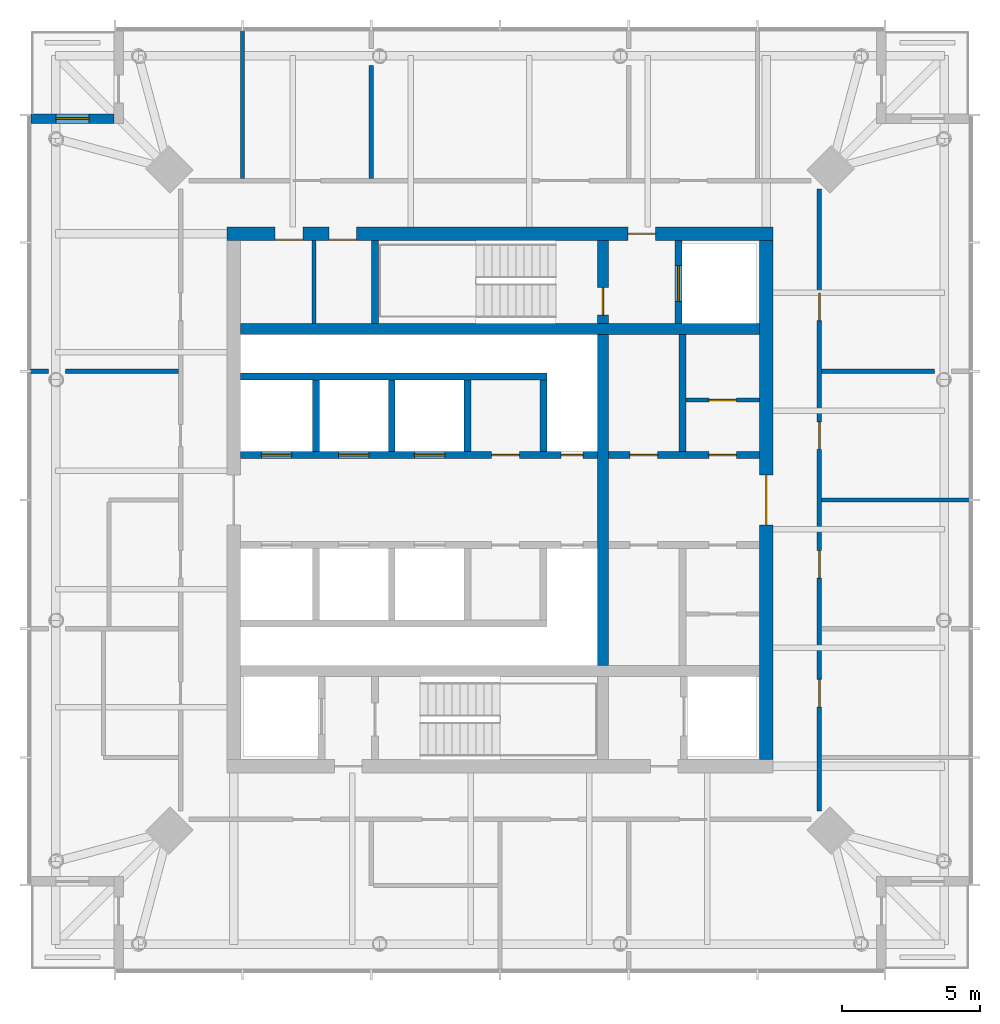
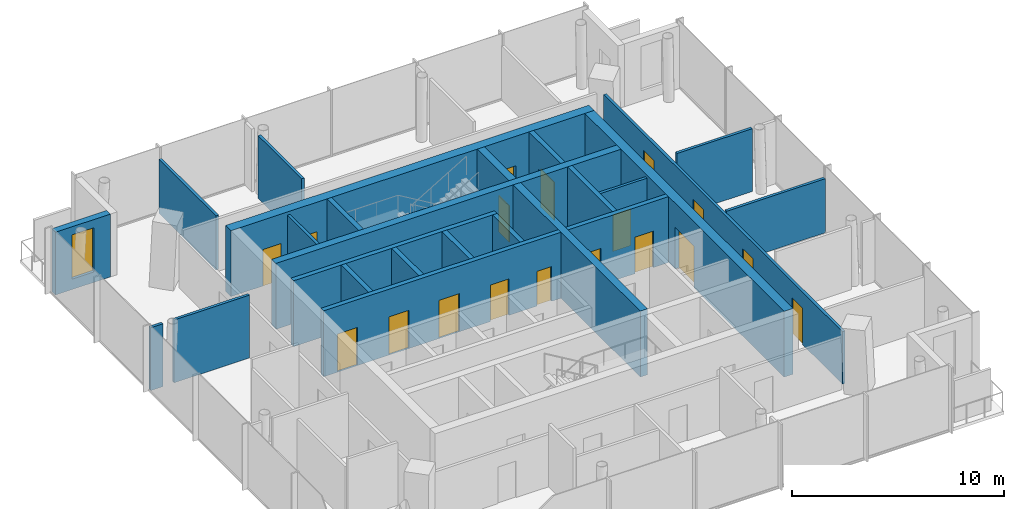
# One storey, part 5 of 7: 25 walls, 18 doors, 1 window, 19 openings.
"""IFC4 building model written with IfcOpenShell, lengths in metres."""

import ifcopenshell
import ifcopenshell.guid

model = None  # the IFC model being written
_history = None  # IfcOwnerHistory: only IFC2X3 demands one
_inside = {}  # id of a spatial element -> (the spatial element, [elements in it])
_under = {}  # id of a project, library or spatial element -> (it, [spatial elements below it])
_declared = {}  # id of a project -> (the project, [libraries it declares])
_typed = {}  # id of a type object -> (the type object, [elements of that type])
_made_of = {}  # id of a material, layer set ... -> (it, [elements and type objects made of it])


def new_model(schema):
    """Start an empty IFC model of exactly this schema.

    Asked for "IFC4X3", IfcOpenShell would pick the latest addendum, in which some entities
    have other attributes; the version numbers below select the first issue.
    IFC2X3 requires an IfcOwnerHistory on every rooted entity: one is made here for all.
    """
    global model, _history
    if schema == "IFC4X3":
        model = ifcopenshell.file(schema_version=(4, 3, 0, 0))
    else:
        model = ifcopenshell.file(schema=schema)
    _inside.clear()
    _under.clear()
    _declared.clear()
    _typed.clear()
    _made_of.clear()
    _history = None
    if model.schema == "IFC2X3":
        org = make("IfcOrganization", Name="unknown")
        user = make(
            "IfcPersonAndOrganization",
            ThePerson=make("IfcPerson", FamilyName="unknown"),
            TheOrganization=org,
        )
        app = make(
            "IfcApplication",
            ApplicationDeveloper=org,
            Version="unknown",
            ApplicationFullName="unknown",
            ApplicationIdentifier="unknown",
        )
        _history = make(
            "IfcOwnerHistory",
            OwningUser=user,
            OwningApplication=app,
            ChangeAction="ADDED",
            CreationDate=0,
        )
    return model


def make(cls, **values):
    """One entity of the class cls with the attributes given. An attribute that is None is left unset."""
    return model.create_entity(
        cls, **{name: value for name, value in values.items() if value is not None}
    )


def rooted(cls, **values):
    """An entity with a GlobalId (a new one), such as an element, a storey or a relation."""
    return make(cls, GlobalId=ifcopenshell.guid.new(), OwnerHistory=_history, **values)


def si_unit(unit_type, name, prefix=None):
    """IfcSIUnit, for example si_unit("LENGTHUNIT", "METRE", prefix="MILLI")."""
    return make("IfcSIUnit", UnitType=unit_type, Prefix=prefix, Name=name)


def assignment(units):
    """IfcUnitAssignment: the units of a project."""
    return None if units is None else make("IfcUnitAssignment", Units=units)


def point(xyz):
    """IfcCartesianPoint."""
    return None if xyz is None else make("IfcCartesianPoint", Coordinates=xyz)


def direction(xyz):
    """IfcDirection."""
    return None if xyz is None else make("IfcDirection", DirectionRatios=xyz)


def frame(location, z_axis=None, x_axis=None):
    """IfcAxis2Placement3D, a coordinate frame: its origin and axes. An axis left out is left unset."""
    return make(
        "IfcAxis2Placement3D",
        Location=point(location),
        Axis=direction(z_axis),
        RefDirection=direction(x_axis),
    )


def frame_2d(location, x_axis=None):
    """IfcAxis2Placement2D, a coordinate frame in the plane: its origin and x axis."""
    return make(
        "IfcAxis2Placement2D", Location=point(location), RefDirection=direction(x_axis)
    )


def origin():
    """The frame at (0, 0, 0) with its axes left unset."""
    return frame((0.0, 0.0, 0.0))


def place(relative_to, where):
    """IfcLocalPlacement: puts the frame where relative to a parent placement (None: the world)."""
    return make(
        "IfcLocalPlacement", PlacementRelTo=relative_to, RelativePlacement=where
    )


def context(
    kind, dimensions, precision=None, world=None, true_north=None, identifier=None
):
    """IfcGeometricRepresentationContext, for example the 3D "Model" context."""
    return make(
        "IfcGeometricRepresentationContext",
        ContextIdentifier=identifier,
        ContextType=kind,
        CoordinateSpaceDimension=dimensions,
        Precision=precision,
        WorldCoordinateSystem=world,
        TrueNorth=true_north,
    )


def subcontext(parent, identifier, kind, view, scale=None):
    """IfcGeometricRepresentationSubContext, for example "Body" below "Model"."""
    return make(
        "IfcGeometricRepresentationSubContext",
        ContextIdentifier=identifier,
        ContextType=kind,
        ParentContext=parent,
        TargetScale=scale,
        TargetView=view,
    )


def project(units=None, contexts=None):
    """IfcProject with its units and contexts."""
    return rooted(
        "IfcProject",
        Name="project",
        RepresentationContexts=contexts,
        UnitsInContext=assignment(units),
    )


def spatial(cls, under=None, at=None, **own):
    """A site, building, storey or space (cls), placed at a placement, below another one or the project."""
    s = rooted(cls, ObjectPlacement=at, **own)
    if under is not None:
        _under.setdefault(under.id(), (under, []))[1].append(s)
    return s


def profile(cls, at=None, kind="AREA", **sizes):
    """A parametric profile (cls). Its sizes go by their IFC names, for example OverallWidth=200.0."""
    return make(cls, ProfileType=kind, Position=at, **sizes)


def rectangle(**sizes):
    """IfcRectangleProfileDef."""
    return profile("IfcRectangleProfileDef", **sizes)


def extrude(swept, where, along, depth):
    """IfcExtrudedAreaSolid: the profile swept, set in the frame where, extruded along a direction by depth."""
    return make(
        "IfcExtrudedAreaSolid",
        SweptArea=swept,
        Position=where,
        ExtrudedDirection=direction(along),
        Depth=depth,
    )


def shape(context_of_items, identifier, shape_type, items):
    """IfcShapeRepresentation: the items that make up one representation, for example the "Body"."""
    return make(
        "IfcShapeRepresentation",
        ContextOfItems=context_of_items,
        RepresentationIdentifier=identifier,
        RepresentationType=shape_type,
        Items=items,
    )


def material(Name=None, Category=None):
    """IfcMaterial."""
    return make("IfcMaterial", Name=Name, Category=Category)


def layer(
    of_material, thickness, ventilated=None, Name=None, Category=None, Priority=None
):
    """IfcMaterialLayer: one layer of a wall or slab, of a material (None: an air gap)."""
    return make(
        "IfcMaterialLayer",
        Material=of_material,
        LayerThickness=thickness,
        IsVentilated=ventilated,
        Name=Name,
        Category=Category,
        Priority=Priority,
    )


def layer_set(layers, Name=None):
    """IfcMaterialLayerSet."""
    return make("IfcMaterialLayerSet", MaterialLayers=layers, LayerSetName=Name)


def made_of(thing, what):
    """Note that an element or type object is made of a material, layer set ...; save() writes the relation."""
    if what is not None:
        _made_of.setdefault(what.id(), (what, []))[1].append(thing)
    return thing


def type_object(cls, material=None, **own):
    """A type object (cls), such as IfcWallType, which elements share."""
    return made_of(rooted(cls, **own), material)


def element(
    cls,
    number,
    at=None,
    inside=None,
    cuts=None,
    type_object=None,
    material=None,
    context=None,
    identifier="Body",
    shape_type=None,
    held_by="IfcProductDefinitionShape",
    body=None,
    shapes=None,
    **own,
):
    """One element of the class cls, such as IfcWall. Its Tag is "e" and its number.

    at: its placement. inside: the storey or other place that contains it. cuts: it is an
    opening in that element (IfcRelVoidsElement). A single representation is given by context,
    identifier, shape_type and body (its items); several are given by shapes. held_by: the class
    of the entity that holds the representations. save() writes the other relations.
    """
    e = rooted(cls, Tag="e%d" % number, ObjectPlacement=at, **own)
    if body is not None:
        shapes = [shape(context, identifier, shape_type, body)]
    if shapes is not None:
        e.Representation = make(held_by, Representations=shapes)
    if inside is not None:
        _inside.setdefault(inside.id(), (inside, []))[1].append(e)
    if cuts is not None:
        rooted(
            "IfcRelVoidsElement", RelatingBuildingElement=cuts, RelatedOpeningElement=e
        )
    if type_object is not None:
        _typed.setdefault(type_object.id(), (type_object, []))[1].append(e)
    return made_of(e, material)


def fill(opening, filler):
    """IfcRelFillsElement: the door or window that sits in an opening."""
    return rooted(
        "IfcRelFillsElement",
        RelatingOpeningElement=opening,
        RelatedBuildingElement=filler,
    )


def aggregate(whole, parts):
    """IfcRelAggregates: a whole, such as a stair, and the parts it consists of."""
    return rooted("IfcRelAggregates", RelatingObject=whole, RelatedObjects=parts)


def save(model, path):
    """Write the relations noted so far, then the file.

    IfcRelAggregates (storeys below a building ...), IfcRelContainedInSpatialStructure (elements
    in a storey), IfcRelDefinesByType, IfcRelAssociatesMaterial and IfcRelDeclares: one each for
    every whole, place, type object, material and project.
    """
    for whole, parts in _under.values():
        aggregate(whole, parts)
    for where, things in _inside.values():
        rooted(
            "IfcRelContainedInSpatialStructure",
            RelatedElements=things,
            RelatingStructure=where,
        )
    for kind, things in _typed.values():
        rooted("IfcRelDefinesByType", RelatedObjects=things, RelatingType=kind)
    for what, things in _made_of.values():
        rooted("IfcRelAssociatesMaterial", RelatedObjects=things, RelatingMaterial=what)
    for by, libraries in _declared.values():
        rooted("IfcRelDeclares", RelatingContext=by, RelatedDefinitions=libraries)
    model.write(path)


model = new_model("IFC4")

# Units and contexts
model_context = context("Model", 3, precision=1e-05, world=origin(), true_north=direction((0.0, 1.0)))
body_context = subcontext(model_context, "Body", "Model", "MODEL_VIEW")
ifc_project = project(units=[si_unit("LENGTHUNIT", "METRE"), si_unit("AREAUNIT", "SQUARE_METRE"), si_unit("VOLUMEUNIT", "CUBIC_METRE"), si_unit("PLANEANGLEUNIT", "RADIAN"), si_unit("MASSUNIT", "GRAM", prefix="KILO")], contexts=[model_context])

# Site, building, storey
site_placement = place(None, origin())
site = spatial("IfcSite", under=ifc_project, at=site_placement, CompositionType="ELEMENT")
building_placement = place(site_placement, origin())
building = spatial("IfcBuilding", under=site, at=building_placement, Name="Ostroluk Exchange", CompositionType="ELEMENT")
storey_placement = place(building_placement, frame((0.0, 0.0, 268.0)))
storey = spatial("IfcBuildingStorey", under=building, at=storey_placement, Name="L69", CompositionType="ELEMENT", Elevation=268.0)

# Wall
ifc_material_1 = material(Name="Concrete blockwork", Category="masonry")
ifc_layer_1 = layer(ifc_material_1, 0.14990234375)
ifc_layer_set_1 = layer_set([ifc_layer_1], Name="Blockwork plant room wall 150")
wall_type_1 = type_object("IfcWallType", Name="Blockwork plant room wall 150", PredefinedType="SOLIDWALL", material=ifc_layer_set_1)
wall_1_placement = place(storey_placement, frame((38.260009765625, 52.39990234375, 0.0), z_axis=(0.0, 0.0, 1.0), x_axis=(0.0, 1.0, 0.0)))
element("IfcWall", 1, at=wall_1_placement, inside=storey, type_object=wall_type_1, Name="Core room wall", PredefinedType="SOLIDWALL", context=body_context, shape_type="SweptSolid", body=[
    extrude(rectangle(XDim=3.0, YDim=0.14990234375, at=frame_2d((1.5, 0.0))), origin(), (0.0, 0.0, 1.0), 3.6201171875),
])

# Wall, opening, door
wall_2_placement = place(storey_placement, frame((51.739990234375, 49.6201171875, 0.0), z_axis=(0.0, 0.0, 1.0), x_axis=(1.0, 0.0, 0.0)))
wall_2 = element("IfcWall", 2, at=wall_2_placement, inside=storey, type_object=wall_type_1, Name="Core room wall", PredefinedType="SOLIDWALL", context=body_context, shape_type="SweptSolid", body=[
    extrude(rectangle(XDim=2.659912109375, YDim=0.14990234375, at=frame_2d((1.330078125, 0.0))), origin(), (0.0, 0.0, 1.0), 3.6201171875),
])
opening_1_placement = place(wall_2_placement, frame((0.830078125, 0.0, 0.0)))
opening_1 = element("IfcOpeningElement", 3, at=opening_1_placement, cuts=wall_2, Name="Opening FD60", PredefinedType="OPENING", context=body_context, shape_type="SweptSolid", body=[
    extrude(rectangle(XDim=1.0, YDim=2.10009765625, at=frame_2d((0.5, 1.050048828125))), frame((0.0, 0.0849609375, 0.0), z_axis=(0.0, -1.0, 0.0), x_axis=(1.0, 0.0, 0.0)), (0.0, 0.0, 1.0), 0.169921875),
])
ifc_material_2 = material(Name="Steel", Category="steel")
door_type_1 = type_object("IfcDoorType", Name="Fire door EI 60 1000 x 2100", OperationType="SINGLE_SWING_LEFT", PredefinedType="DOOR", material=ifc_material_2)
door_1_placement = place(opening_1_placement, origin())
door_1 = element("IfcDoor", 4, at=door_1_placement, inside=storey, type_object=door_type_1, Name="Stationery store door", OperationType="SINGLE_SWING_RIGHT", OverallHeight=2.10009765625, OverallWidth=1.0, PredefinedType="DOOR", context=body_context, shape_type="SweptSolid", body=[
    extrude(rectangle(XDim=1.0, YDim=2.10009765625, at=frame_2d((0.5, 1.050048828125))), frame((0.0, 0.02490234375, 0.0), z_axis=(0.0, -1.0, 0.0), x_axis=(1.0, 0.0, 0.0)), (0.0, 0.0, 1.0), 0.050048828125),
])
fill(opening_1, door_1)

# Walls
ifc_material_3 = material(Name="Concrete C50/60", Category="concrete")
ifc_layer_2 = layer(ifc_material_3, 0.39990234375)
ifc_layer_set_2 = layer_set([ifc_layer_2], Name="Core cross wall 400 C50/60")
wall_type_2 = type_object("IfcWallType", Name="Core cross wall 400 C50/60", PredefinedType="SHEAR", material=ifc_layer_set_2)
wall_3_placement = place(storey_placement, frame((35.60009765625, 52.199951171875, 0.0), z_axis=(0.0, 0.0, 1.0), x_axis=(1.0, 0.0, 0.0)))
element("IfcWall", 5, at=wall_3_placement, inside=storey, type_object=wall_type_2, Name="T1 core wall XN", PredefinedType="SHEAR", context=body_context, shape_type="SweptSolid", body=[
    extrude(rectangle(XDim=18.7998046875, YDim=0.39990234375, at=frame_2d((9.39990234375, 0.0))), origin(), (0.0, 0.0, 1.0), 3.800048828125),
])
wall_4_placement = place(storey_placement, frame((48.72998046875, 40.0, 0.0), z_axis=(0.0, 0.0, 1.0), x_axis=(0.0, 1.0, 0.0)))
element("IfcWall", 6, at=wall_4_placement, inside=storey, type_object=wall_type_2, Name="T1 core wall YE2", PredefinedType="SHEAR", context=body_context, shape_type="SweptSolid", body=[
    extrude(rectangle(XDim=12.0, YDim=0.39990234375, at=frame_2d((6.0, 0.0))), origin(), (0.0, 0.0, 1.0), 3.800048828125),
])

# Wall, opening, door
wall_5_placement = place(storey_placement, frame((48.72998046875, 52.39990234375, 0.0), z_axis=(0.0, 0.0, 1.0), x_axis=(0.0, 1.0, 0.0)))
wall_5 = element("IfcWall", 7, at=wall_5_placement, inside=storey, type_object=wall_type_2, Name="T1 core wall YE3", PredefinedType="SHEAR", context=body_context, shape_type="SweptSolid", body=[
    extrude(rectangle(XDim=3.0, YDim=0.39990234375, at=frame_2d((1.5, 0.0))), origin(), (0.0, 0.0, 1.0), 3.800048828125),
])
opening_2_placement = place(wall_5_placement, frame((0.300048828125, 0.0, 0.0)))
opening_2 = element("IfcOpeningElement", 8, at=opening_2_placement, cuts=wall_5, Name="Opening FD60", PredefinedType="OPENING", context=body_context, shape_type="SweptSolid", body=[
    extrude(rectangle(XDim=1.0, YDim=2.10009765625, at=frame_2d((0.5, 1.050048828125))), frame((0.0, 0.2099609375, 0.0), z_axis=(0.0, -1.0, 0.0), x_axis=(1.0, 0.0, 0.0)), (0.0, 0.0, 1.0), 0.419921875),
])
door_2_placement = place(opening_2_placement, origin())
door_2 = element("IfcDoor", 9, at=door_2_placement, inside=storey, type_object=door_type_1, Name="Stair T1-S2 door", OperationType="SINGLE_SWING_LEFT", OverallHeight=2.10009765625, OverallWidth=1.0, PredefinedType="DOOR", context=body_context, shape_type="SweptSolid", body=[
    extrude(rectangle(XDim=1.0, YDim=2.10009765625, at=frame_2d((0.5, 1.050048828125))), frame((0.0, 0.02490234375, 0.0), z_axis=(0.0, -1.0, 0.0), x_axis=(1.0, 0.0, 0.0)), (0.0, 0.0, 1.0), 0.050048828125),
])
fill(opening_2, door_2)

# Wall
ifc_material_4 = material(Name="Concrete C40/50", Category="concrete")
ifc_layer_3 = layer(ifc_material_4, 0.25)
ifc_layer_set_3 = layer_set([ifc_layer_3], Name="Core shaft wall 250")
wall_type_3 = type_object("IfcWallType", Name="Core shaft wall 250", PredefinedType="SHEAR", material=ifc_layer_set_3)
wall_6_placement = place(storey_placement, frame((40.47509765625, 52.39990234375, 0.0), z_axis=(0.0, 0.0, 1.0), x_axis=(0.0, 1.0, 0.0)))
element("IfcWall", 10, at=wall_6_placement, inside=storey, type_object=wall_type_3, Name="Stair shaft wall", PredefinedType="SHEAR", context=body_context, shape_type="SweptSolid", body=[
    extrude(rectangle(XDim=3.0, YDim=0.25, at=frame_2d((1.5, 0.0))), origin(), (0.0, 0.0, 1.0), 3.800048828125),
])

# Wall, opening, door
wall_7_placement = place(storey_placement, frame((51.47509765625, 52.39990234375, 0.0), z_axis=(0.0, 0.0, 1.0), x_axis=(0.0, 1.0, 0.0)))
wall_7 = element("IfcWall", 11, at=wall_7_placement, inside=storey, type_object=wall_type_3, Name="Firefighting lift shaft wall", PredefinedType="SHEAR", context=body_context, shape_type="SweptSolid", body=[
    extrude(rectangle(XDim=3.0, YDim=0.25, at=frame_2d((1.5, 0.0))), origin(), (0.0, 0.0, 1.0), 3.800048828125),
])
opening_3_placement = place(wall_7_placement, frame((0.800048828125, 0.0, 0.0)))
opening_3 = element("IfcOpeningElement", 12, at=opening_3_placement, cuts=wall_7, Name="Opening LD2", PredefinedType="OPENING", context=body_context, shape_type="SweptSolid", body=[
    extrude(rectangle(XDim=1.300048828125, YDim=2.199951171875, at=frame_2d((0.64990234375, 1.10009765625))), frame((0.0, 0.135009765625, 0.0), z_axis=(0.0, -1.0, 0.0), x_axis=(1.0, 0.0, 0.0)), (0.0, 0.0, 1.0), 0.27001953125),
])
ifc_material_5 = material(Name="Stainless steel", Category="steel")
door_type_2 = type_object("IfcDoorType", Name="Lift landing door E 60 1300 x 2200", OperationType="DOUBLE_DOOR_SLIDING", PredefinedType="DOOR", material=ifc_material_5)
door_3_placement = place(opening_3_placement, origin())
door_3 = element("IfcDoor", 13, at=door_3_placement, inside=storey, type_object=door_type_2, Name="Lift FL2 landing door", OperationType="DOUBLE_DOOR_SLIDING", OverallHeight=2.199951171875, OverallWidth=1.300048828125, PredefinedType="DOOR", context=body_context, shape_type="SweptSolid", body=[
    extrude(rectangle(XDim=1.300048828125, YDim=2.199951171875, at=frame_2d((0.64990234375, 1.10009765625))), frame((0.0, 0.02490234375, 0.0), z_axis=(0.0, -1.0, 0.0), x_axis=(1.0, 0.0, 0.0)), (0.0, 0.0, 1.0), 0.050048828125),
])
fill(opening_3, door_3)

# Walls
for number, where, z_axis, x_axis, name in (
    (14, (38.324951171875, 47.75, 0.0), (0.0, 0.0, 1.0), (0.0, 1.0, 0.0), "Lift shaft wall"),
    (15, (41.074951171875, 47.75, 0.0), (0.0, 0.0, 1.0), (0.0, 1.0, 0.0), "Lift shaft wall"),
    (16, (43.824951171875, 47.75, 0.0), (0.0, 0.0, 1.0), (0.0, 1.0, 0.0), "Lift shaft wall"),
    (17, (46.574951171875, 47.75, 0.0), (0.0, 0.0, 1.0), (0.0, 1.0, 0.0), "Lift shaft wall"),
):
    element("IfcWall", number, at=place(storey_placement, frame(where, z_axis=z_axis, x_axis=x_axis)), inside=storey, type_object=wall_type_3, Name=name, PredefinedType="SHEAR", context=body_context, shape_type="SweptSolid", body=[
        extrude(rectangle(XDim=2.60009765625, YDim=0.25, at=frame_2d((1.300048828125, 0.0))), origin(), (0.0, 0.0, 1.0), 3.800048828125),
    ])
wall_8_placement = place(storey_placement, frame((35.60009765625, 50.47509765625, 0.0), z_axis=(0.0, 0.0, 1.0), x_axis=(1.0, 0.0, 0.0)))
element("IfcWall", 18, at=wall_8_placement, inside=storey, type_object=wall_type_3, Name="Lift shaft wall", PredefinedType="SHEAR", context=body_context, shape_type="SweptSolid", body=[
    extrude(rectangle(XDim=11.099853515625, YDim=0.25, at=frame_2d((5.5498046875, 0.0))), origin(), (0.0, 0.0, 1.0), 3.800048828125),
])

# Wall, openings, doors
wall_9_placement = place(storey_placement, frame((35.60009765625, 47.625, 0.0), z_axis=(0.0, 0.0, 1.0), x_axis=(1.0, 0.0, 0.0)))
wall_9 = element("IfcWall", 19, at=wall_9_placement, inside=storey, type_object=wall_type_3, Name="Lift shaft front wall", PredefinedType="SHEAR", context=body_context, shape_type="SweptSolid", body=[
    extrude(rectangle(XDim=12.929931640625, YDim=0.25, at=frame_2d((6.46484375, 0.0))), origin(), (0.0, 0.0, 1.0), 3.800048828125),
])
opening_4_placement = place(wall_9_placement, frame((0.75, 0.0, 0.0)))
opening_4 = element("IfcOpeningElement", 20, at=opening_4_placement, cuts=wall_9, Name="Opening LD", PredefinedType="OPENING", context=body_context, shape_type="SweptSolid", body=[
    extrude(rectangle(XDim=1.10009765625, YDim=2.199951171875, at=frame_2d((0.550048828125, 1.10009765625))), frame((0.0, 0.135009765625, 0.0), z_axis=(0.0, -1.0, 0.0), x_axis=(1.0, 0.0, 0.0)), (0.0, 0.0, 1.0), 0.27001953125),
])
opening_5_placement = place(wall_9_placement, frame((3.550048828125, 0.0, 0.0)))
opening_5 = element("IfcOpeningElement", 21, at=opening_5_placement, cuts=wall_9, Name="Opening LD", PredefinedType="OPENING", context=body_context, shape_type="SweptSolid", body=[
    extrude(rectangle(XDim=1.10009765625, YDim=2.199951171875, at=frame_2d((0.550048828125, 1.10009765625))), frame((0.0, 0.135009765625, 0.0), z_axis=(0.0, -1.0, 0.0), x_axis=(1.0, 0.0, 0.0)), (0.0, 0.0, 1.0), 0.27001953125),
])
opening_6_placement = place(wall_9_placement, frame((6.300048828125, 0.0, 0.0)))
opening_6 = element("IfcOpeningElement", 22, at=opening_6_placement, cuts=wall_9, Name="Opening LD", PredefinedType="OPENING", context=body_context, shape_type="SweptSolid", body=[
    extrude(rectangle(XDim=1.10009765625, YDim=2.199951171875, at=frame_2d((0.550048828125, 1.10009765625))), frame((0.0, 0.135009765625, 0.0), z_axis=(0.0, -1.0, 0.0), x_axis=(1.0, 0.0, 0.0)), (0.0, 0.0, 1.0), 0.27001953125),
])
opening_7_placement = place(wall_9_placement, frame((9.10009765625, 0.0, 0.0)))
opening_7 = element("IfcOpeningElement", 23, at=opening_7_placement, cuts=wall_9, Name="Opening FD60", PredefinedType="OPENING", context=body_context, shape_type="SweptSolid", body=[
    extrude(rectangle(XDim=1.0, YDim=2.10009765625, at=frame_2d((0.5, 1.050048828125))), frame((0.0, 0.135009765625, 0.0), z_axis=(0.0, -1.0, 0.0), x_axis=(1.0, 0.0, 0.0)), (0.0, 0.0, 1.0), 0.27001953125),
])
opening_8_placement = place(wall_9_placement, frame((11.614990234375, 0.0, 0.0)))
opening_8 = element("IfcOpeningElement", 24, at=opening_8_placement, cuts=wall_9, Name="Opening RD60", PredefinedType="OPENING", context=body_context, shape_type="SweptSolid", body=[
    extrude(rectangle(XDim=0.800048828125, YDim=2.0, at=frame_2d((0.39990234375, 1.0))), frame((0.0, 0.135009765625, 0.0), z_axis=(0.0, -1.0, 0.0), x_axis=(1.0, 0.0, 0.0)), (0.0, 0.0, 1.0), 0.27001953125),
])
door_4_placement = place(opening_7_placement, origin())
door_4 = element("IfcDoor", 25, at=door_4_placement, inside=storey, type_object=door_type_1, Name="Core room door", OperationType="SINGLE_SWING_RIGHT", OverallHeight=2.10009765625, OverallWidth=1.0, PredefinedType="DOOR", context=body_context, shape_type="SweptSolid", body=[
    extrude(rectangle(XDim=1.0, YDim=2.10009765625, at=frame_2d((0.5, 1.050048828125))), frame((0.0, 0.02490234375, 0.0), z_axis=(0.0, -1.0, 0.0), x_axis=(1.0, 0.0, 0.0)), (0.0, 0.0, 1.0), 0.050048828125),
])
fill(opening_7, door_4)
ifc_material_6 = material(Name="Stainless steel", Category="steel")
door_type_3 = type_object("IfcDoorType", Name="Lift landing door E 60 1100 x 2200", OperationType="DOUBLE_DOOR_SLIDING", PredefinedType="DOOR", material=ifc_material_6)
door_5_placement = place(opening_4_placement, origin())
door_5 = element("IfcDoor", 26, at=door_5_placement, inside=storey, type_object=door_type_3, Name="Lift PL-T1 landing door", OperationType="DOUBLE_DOOR_SLIDING", OverallHeight=2.199951171875, OverallWidth=1.10009765625, PredefinedType="DOOR", context=body_context, shape_type="SweptSolid", body=[
    extrude(rectangle(XDim=1.10009765625, YDim=2.199951171875, at=frame_2d((0.550048828125, 1.10009765625))), frame((0.0, 0.02490234375, 0.0), z_axis=(0.0, -1.0, 0.0), x_axis=(1.0, 0.0, 0.0)), (0.0, 0.0, 1.0), 0.050048828125),
])
fill(opening_4, door_5)
door_6_placement = place(opening_5_placement, origin())
door_6 = element("IfcDoor", 27, at=door_6_placement, inside=storey, type_object=door_type_3, Name="Lift PL-T2 landing door", OperationType="DOUBLE_DOOR_SLIDING", OverallHeight=2.199951171875, OverallWidth=1.10009765625, PredefinedType="DOOR", context=body_context, shape_type="SweptSolid", body=[
    extrude(rectangle(XDim=1.10009765625, YDim=2.199951171875, at=frame_2d((0.550048828125, 1.10009765625))), frame((0.0, 0.02490234375, 0.0), z_axis=(0.0, -1.0, 0.0), x_axis=(1.0, 0.0, 0.0)), (0.0, 0.0, 1.0), 0.050048828125),
])
fill(opening_5, door_6)
door_7_placement = place(opening_6_placement, origin())
door_7 = element("IfcDoor", 28, at=door_7_placement, inside=storey, type_object=door_type_3, Name="Lift PL-T3 landing door", OperationType="DOUBLE_DOOR_SLIDING", OverallHeight=2.199951171875, OverallWidth=1.10009765625, PredefinedType="DOOR", context=body_context, shape_type="SweptSolid", body=[
    extrude(rectangle(XDim=1.10009765625, YDim=2.199951171875, at=frame_2d((0.550048828125, 1.10009765625))), frame((0.0, 0.02490234375, 0.0), z_axis=(0.0, -1.0, 0.0), x_axis=(1.0, 0.0, 0.0)), (0.0, 0.0, 1.0), 0.050048828125),
])
fill(opening_6, door_7)
ifc_material_7 = material(Name="Steel", Category="steel")
door_type_4 = type_object("IfcDoorType", Name="Riser access door EI 60 800 x 2000", OperationType="SINGLE_SWING_LEFT", PredefinedType="DOOR", material=ifc_material_7)
door_8_placement = place(opening_8_placement, origin())
door_8 = element("IfcDoor", 29, at=door_8_placement, inside=storey, type_object=door_type_4, Name="Riser access door", OperationType="SINGLE_SWING_RIGHT", OverallHeight=2.0, OverallWidth=0.800048828125, PredefinedType="DOOR", context=body_context, shape_type="SweptSolid", body=[
    extrude(rectangle(XDim=0.800048828125, YDim=2.0, at=frame_2d((0.39990234375, 1.0))), frame((0.0, 0.02490234375, 0.0), z_axis=(0.0, -1.0, 0.0), x_axis=(1.0, 0.0, 0.0)), (0.0, 0.0, 1.0), 0.050048828125),
])
fill(opening_8, door_8)

# Wall
wall_10_placement = place(storey_placement, frame((51.614990234375, 47.75, 0.0), z_axis=(0.0, 0.0, 1.0), x_axis=(0.0, 1.0, 0.0)))
element("IfcWall", 30, at=wall_10_placement, inside=storey, type_object=wall_type_3, Name="Lift shaft wall", PredefinedType="SHEAR", context=body_context, shape_type="SweptSolid", body=[
    extrude(rectangle(XDim=4.25, YDim=0.25, at=frame_2d((2.125, 0.0))), origin(), (0.0, 0.0, 1.0), 3.800048828125),
])

# Wall, openings, doors
wall_11_placement = place(storey_placement, frame((48.929931640625, 47.625, 0.0), z_axis=(0.0, 0.0, 1.0), x_axis=(1.0, 0.0, 0.0)))
wall_11 = element("IfcWall", 31, at=wall_11_placement, inside=storey, type_object=wall_type_3, Name="Lift shaft front wall", PredefinedType="SHEAR", context=body_context, shape_type="SweptSolid", body=[
    extrude(rectangle(XDim=5.469970703125, YDim=0.25, at=frame_2d((2.73486328125, 0.0))), origin(), (0.0, 0.0, 1.0), 3.800048828125),
])
opening_9_placement = place(wall_11_placement, frame((0.780029296875, 0.0, 0.0)))
opening_9 = element("IfcOpeningElement", 32, at=opening_9_placement, cuts=wall_11, Name="Opening FD60", PredefinedType="OPENING", context=body_context, shape_type="SweptSolid", body=[
    extrude(rectangle(XDim=1.0, YDim=2.10009765625, at=frame_2d((0.5, 1.050048828125))), frame((0.0, 0.135009765625, 0.0), z_axis=(0.0, -1.0, 0.0), x_axis=(1.0, 0.0, 0.0)), (0.0, 0.0, 1.0), 0.27001953125),
])
opening_10_placement = place(wall_11_placement, frame((3.639892578125, 0.0, 0.0)))
opening_10 = element("IfcOpeningElement", 33, at=opening_10_placement, cuts=wall_11, Name="Opening FD60", PredefinedType="OPENING", context=body_context, shape_type="SweptSolid", body=[
    extrude(rectangle(XDim=1.0, YDim=2.10009765625, at=frame_2d((0.5, 1.050048828125))), frame((0.0, 0.135009765625, 0.0), z_axis=(0.0, -1.0, 0.0), x_axis=(1.0, 0.0, 0.0)), (0.0, 0.0, 1.0), 0.27001953125),
])
door_9_placement = place(opening_9_placement, origin())
door_9 = element("IfcDoor", 34, at=door_9_placement, inside=storey, type_object=door_type_1, Name="Core room door", OperationType="SINGLE_SWING_LEFT", OverallHeight=2.10009765625, OverallWidth=1.0, PredefinedType="DOOR", context=body_context, shape_type="SweptSolid", body=[
    extrude(rectangle(XDim=1.0, YDim=2.10009765625, at=frame_2d((0.5, 1.050048828125))), frame((0.0, 0.02490234375, 0.0), z_axis=(0.0, -1.0, 0.0), x_axis=(1.0, 0.0, 0.0)), (0.0, 0.0, 1.0), 0.050048828125),
])
fill(opening_9, door_9)
door_10_placement = place(opening_10_placement, origin())
door_10 = element("IfcDoor", 35, at=door_10_placement, inside=storey, type_object=door_type_1, Name="Core room door", OperationType="SINGLE_SWING_RIGHT", OverallHeight=2.10009765625, OverallWidth=1.0, PredefinedType="DOOR", context=body_context, shape_type="SweptSolid", body=[
    extrude(rectangle(XDim=1.0, YDim=2.10009765625, at=frame_2d((0.5, 1.050048828125))), frame((0.0, 0.02490234375, 0.0), z_axis=(0.0, -1.0, 0.0), x_axis=(1.0, 0.0, 0.0)), (0.0, 0.0, 1.0), 0.050048828125),
])
fill(opening_10, door_10)

ifc_material_8 = material(Name="Concrete C50/60", Category="concrete")
ifc_layer_4 = layer(ifc_material_8, 0.5)
ifc_layer_set_4 = layer_set([ifc_layer_4], Name="Core wall 500 C50/60")
wall_type_4 = type_object("IfcWallType", Name="Core wall 500 C50/60", PredefinedType="SHEAR", material=ifc_layer_set_4)
wall_12_placement = place(storey_placement, frame((35.10009765625, 55.64990234375, 0.0), z_axis=(0.0, 0.0, 1.0), x_axis=(1.0, 0.0, 0.0)))
wall_12 = element("IfcWall", 36, at=wall_12_placement, inside=storey, type_object=wall_type_4, Name="T1 core wall N", PredefinedType="SHEAR", context=body_context, shape_type="SweptSolid", body=[
    extrude(rectangle(XDim=19.7998046875, YDim=0.5, at=frame_2d((9.89990234375, 0.0))), origin(), (0.0, 0.0, 1.0), 3.800048828125),
])
opening_11_placement = place(wall_12_placement, frame((14.5400390625, 0.0, 0.0)))
opening_11 = element("IfcOpeningElement", 37, at=opening_11_placement, cuts=wall_12, Name="Opening FD60", PredefinedType="OPENING", context=body_context, shape_type="SweptSolid", body=[
    extrude(rectangle(XDim=1.0, YDim=2.10009765625, at=frame_2d((0.5, 1.050048828125))), frame((0.0, 0.260009765625, 0.0), z_axis=(0.0, -1.0, 0.0), x_axis=(1.0, 0.0, 0.0)), (0.0, 0.0, 1.0), 0.52001953125),
])
opening_12_placement = place(wall_12_placement, frame((1.75, 0.0, 0.0)))
opening_12 = element("IfcOpeningElement", 38, at=opening_12_placement, cuts=wall_12, Name="Opening FD60", PredefinedType="OPENING", context=body_context, shape_type="SweptSolid", body=[
    extrude(rectangle(XDim=1.0, YDim=2.10009765625, at=frame_2d((0.5, 1.050048828125))), frame((0.0, 0.260009765625, 0.0), z_axis=(0.0, -1.0, 0.0), x_axis=(1.0, 0.0, 0.0)), (0.0, 0.0, 1.0), 0.52001953125),
])
opening_13_placement = place(wall_12_placement, frame((3.705078125, 0.0, 0.0)))
opening_13 = element("IfcOpeningElement", 39, at=opening_13_placement, cuts=wall_12, Name="Opening FD60", PredefinedType="OPENING", context=body_context, shape_type="SweptSolid", body=[
    extrude(rectangle(XDim=1.0, YDim=2.10009765625, at=frame_2d((0.5, 1.050048828125))), frame((0.0, 0.260009765625, 0.0), z_axis=(0.0, -1.0, 0.0), x_axis=(1.0, 0.0, 0.0)), (0.0, 0.0, 1.0), 0.52001953125),
])
door_11_placement = place(opening_11_placement, origin())
door_11 = element("IfcDoor", 40, at=door_11_placement, inside=storey, type_object=door_type_1, Name="Firefighting lobby door", OperationType="SINGLE_SWING_RIGHT", OverallHeight=2.10009765625, OverallWidth=1.0, PredefinedType="DOOR", context=body_context, shape_type="SweptSolid", body=[
    extrude(rectangle(XDim=1.0, YDim=2.10009765625, at=frame_2d((0.5, 1.050048828125))), frame((0.0, 0.02490234375, 0.0), z_axis=(0.0, -1.0, 0.0), x_axis=(1.0, 0.0, 0.0)), (0.0, 0.0, 1.0), 0.050048828125),
])
fill(opening_11, door_11)
door_12_placement = place(opening_12_placement, origin())
door_12 = element("IfcDoor", 41, at=door_12_placement, inside=storey, type_object=door_type_1, Name="Tea point door", OperationType="SINGLE_SWING_LEFT", OverallHeight=2.10009765625, OverallWidth=1.0, PredefinedType="DOOR", context=body_context, shape_type="SweptSolid", body=[
    extrude(rectangle(XDim=1.0, YDim=2.10009765625, at=frame_2d((0.5, 1.050048828125))), frame((0.0, -0.18994140625, 0.0), z_axis=(0.0, -1.0, 0.0), x_axis=(1.0, 0.0, 0.0)), (0.0, 0.0, 1.0), 0.050048828125),
])
fill(opening_12, door_12)
door_13_placement = place(opening_13_placement, origin())
door_13 = element("IfcDoor", 42, at=door_13_placement, inside=storey, type_object=door_type_1, Name="Print and post room door", OperationType="SINGLE_SWING_LEFT", OverallHeight=2.10009765625, OverallWidth=1.0, PredefinedType="DOOR", context=body_context, shape_type="SweptSolid", body=[
    extrude(rectangle(XDim=1.0, YDim=2.10009765625, at=frame_2d((0.5, 1.050048828125))), frame((0.0, -0.18994140625, 0.0), z_axis=(0.0, -1.0, 0.0), x_axis=(1.0, 0.0, 0.0)), (0.0, 0.0, 1.0), 0.050048828125),
])
fill(opening_13, door_13)

# Wall, opening, door
wall_13_placement = place(storey_placement, frame((54.64990234375, 36.60009765625, 0.0), z_axis=(0.0, 0.0, 1.0), x_axis=(0.0, 1.0, 0.0)))
wall_13 = element("IfcWall", 43, at=wall_13_placement, inside=storey, type_object=wall_type_4, Name="T1 core wall E", PredefinedType="SHEAR", context=body_context, shape_type="SweptSolid", body=[
    extrude(rectangle(XDim=18.7998046875, YDim=0.5, at=frame_2d((9.39990234375, 0.0))), origin(), (0.0, 0.0, 1.0), 3.800048828125),
])
opening_14_placement = place(wall_13_placement, frame((8.5, 0.0, 0.0)))
opening_14 = element("IfcOpeningElement", 44, at=opening_14_placement, cuts=wall_13, Name="Opening FD30D", PredefinedType="OPENING", context=body_context, shape_type="SweptSolid", body=[
    extrude(rectangle(XDim=1.800048828125, YDim=2.39990234375, at=frame_2d((0.89990234375, 1.199951171875))), frame((0.0, 0.260009765625, 0.0), z_axis=(0.0, -1.0, 0.0), x_axis=(1.0, 0.0, 0.0)), (0.0, 0.0, 1.0), 0.52001953125),
])
ifc_material_9 = material(Name="Timber", Category="wood")
door_type_5 = type_object("IfcDoorType", Name="Lobby double door EI 30 1800 x 2400", OperationType="DOUBLE_DOOR_SINGLE_SWING", PredefinedType="DOOR", material=ifc_material_9)
door_14_placement = place(opening_14_placement, origin())
door_14 = element("IfcDoor", 45, at=door_14_placement, inside=storey, type_object=door_type_5, Name="Lift lobby doors", OperationType="DOUBLE_DOOR_SINGLE_SWING", OverallHeight=2.39990234375, OverallWidth=1.800048828125, PredefinedType="DOOR", context=body_context, shape_type="SweptSolid", body=[
    extrude(rectangle(XDim=1.800048828125, YDim=2.39990234375, at=frame_2d((0.89990234375, 1.199951171875))), frame((0.0, 0.02490234375, 0.0), z_axis=(0.0, -1.0, 0.0), x_axis=(1.0, 0.0, 0.0)), (0.0, 0.0, 1.0), 0.050048828125),
])
fill(opening_14, door_14)

# Wall, opening, window
ifc_material_10 = material(Name="Limestone", Category="masonry")
ifc_layer_5 = layer(ifc_material_10, 0.35009765625)
ifc_layer_set_5 = layer_set([ifc_layer_5], Name="Limestone facade wall 350")
wall_type_5 = type_object("IfcWallType", Name="Limestone facade wall 350", PredefinedType="SOLIDWALL", material=ifc_layer_set_5)
wall_14_placement = place(storey_placement, frame((31.0, 59.824951171875, 0.0), z_axis=(0.0, 0.0, 1.0), x_axis=(-1.0, 0.0, 0.0)))
wall_14 = element("IfcWall", 46, at=wall_14_placement, inside=storey, type_object=wall_type_5, Name="Office tower NW corner wall L69 b", PredefinedType="SOLIDWALL", context=body_context, shape_type="SweptSolid", body=[
    extrude(rectangle(XDim=3.0, YDim=0.35009765625, at=frame_2d((1.5, 0.0))), origin(), (0.0, 0.0, 1.0), 3.6201171875),
])
opening_15_placement = place(wall_14_placement, frame((0.89990234375, 0.0, 0.60009765625)))
opening_15 = element("IfcOpeningElement", 47, at=opening_15_placement, cuts=wall_14, Name="Opening WN-L1", PredefinedType="OPENING", context=body_context, shape_type="SweptSolid", body=[
    extrude(rectangle(XDim=1.199951171875, YDim=2.550048828125, at=frame_2d((0.60009765625, 1.27490234375))), frame((0.0, 0.18505859375, 0.0), z_axis=(0.0, -1.0, 0.0), x_axis=(1.0, 0.0, 0.0)), (0.0, 0.0, 1.0), 0.3701171875),
])
ifc_material_11 = material(Name="Laminated clear glass", Category="glass")
window_type = type_object("IfcWindowType", Name="Lancet window 1200 x 2550", PartitioningType="SINGLE_PANEL", PredefinedType="WINDOW", material=ifc_material_11)
window_placement = place(opening_15_placement, origin())
window = element("IfcWindow", 48, at=window_placement, inside=storey, type_object=window_type, Name="Office tower NW lancet window L69", OverallHeight=2.550048828125, OverallWidth=1.199951171875, PartitioningType="SINGLE_PANEL", PredefinedType="WINDOW", context=body_context, shape_type="SweptSolid", body=[
    extrude(rectangle(XDim=1.199951171875, YDim=2.550048828125, at=frame_2d((0.60009765625, 1.27490234375))), frame((0.0, 0.030029296875, 0.0), z_axis=(0.0, -1.0, 0.0), x_axis=(1.0, 0.0, 0.0)), (0.0, 0.0, 1.0), 0.06005859375),
])
fill(opening_15, window)

# Wall, openings, doors
ifc_material_12 = material(Name="Gypsum plasterboard partition", Category="gypsum")
ifc_layer_6 = layer(ifc_material_12, 0.14990234375)
ifc_layer_set_6 = layer_set([ifc_layer_6], Name="Plasterboard partition 150")
wall_type_6 = type_object("IfcWallType", Name="Plasterboard partition 150", PredefinedType="PARTITIONING", material=ifc_layer_set_6)
wall_15_placement = place(storey_placement, frame((56.574951171875, 34.72705078125, 0.0), z_axis=(0.0, 0.0, 1.0), x_axis=(0.0, 1.0, 0.0)))
wall_15 = element("IfcWall", 49, at=wall_15_placement, inside=storey, type_object=wall_type_6, Name="Partition", PredefinedType="PARTITIONING", context=body_context, shape_type="SweptSolid", body=[
    extrude(rectangle(XDim=22.5458984375, YDim=0.14990234375, at=frame_2d((11.27294921875, 0.0))), origin(), (0.0, 0.0, 1.0), 3.02001953125),
])
opening_16_placement = place(wall_15_placement, frame((3.77294921875, 0.0, 0.0)))
opening_16 = element("IfcOpeningElement", 50, at=opening_16_placement, cuts=wall_15, Name="Opening D-03", PredefinedType="OPENING", context=body_context, shape_type="SweptSolid", body=[
    extrude(rectangle(XDim=1.0, YDim=2.10009765625, at=frame_2d((0.5, 1.050048828125))), frame((0.0, 0.0849609375, 0.0), z_axis=(0.0, -1.0, 0.0), x_axis=(1.0, 0.0, 0.0)), (0.0, 0.0, 1.0), 0.169921875),
])
opening_17_placement = place(wall_15_placement, frame((8.439453125, 0.0, 0.0)))
opening_17 = element("IfcOpeningElement", 51, at=opening_17_placement, cuts=wall_15, Name="Opening D-03", PredefinedType="OPENING", context=body_context, shape_type="SweptSolid", body=[
    extrude(rectangle(XDim=1.0, YDim=2.10009765625, at=frame_2d((0.5, 1.050048828125))), frame((0.0, 0.0849609375, 0.0), z_axis=(0.0, -1.0, 0.0), x_axis=(1.0, 0.0, 0.0)), (0.0, 0.0, 1.0), 0.169921875),
])
opening_18_placement = place(wall_15_placement, frame((13.106201171875, 0.0, 0.0)))
opening_18 = element("IfcOpeningElement", 52, at=opening_18_placement, cuts=wall_15, Name="Opening D-03", PredefinedType="OPENING", context=body_context, shape_type="SweptSolid", body=[
    extrude(rectangle(XDim=1.0, YDim=2.10009765625, at=frame_2d((0.5, 1.050048828125))), frame((0.0, 0.0849609375, 0.0), z_axis=(0.0, -1.0, 0.0), x_axis=(1.0, 0.0, 0.0)), (0.0, 0.0, 1.0), 0.169921875),
])
opening_19_placement = place(wall_15_placement, frame((17.77294921875, 0.0, 0.0)))
opening_19 = element("IfcOpeningElement", 53, at=opening_19_placement, cuts=wall_15, Name="Opening D-03", PredefinedType="OPENING", context=body_context, shape_type="SweptSolid", body=[
    extrude(rectangle(XDim=1.0, YDim=2.10009765625, at=frame_2d((0.5, 1.050048828125))), frame((0.0, 0.0849609375, 0.0), z_axis=(0.0, -1.0, 0.0), x_axis=(1.0, 0.0, 0.0)), (0.0, 0.0, 1.0), 0.169921875),
])
ifc_material_13 = material(Name="Timber", Category="wood")
door_type_6 = type_object("IfcDoorType", Name="Internal door 1000 x 2100", OperationType="SINGLE_SWING_LEFT", PredefinedType="DOOR", material=ifc_material_13)
door_15_placement = place(opening_16_placement, origin())
door_15 = element("IfcDoor", 54, at=door_15_placement, inside=storey, type_object=door_type_6, Name="Office door", OperationType="SINGLE_SWING_LEFT", OverallHeight=2.10009765625, OverallWidth=1.0, PredefinedType="DOOR", context=body_context, shape_type="SweptSolid", body=[
    extrude(rectangle(XDim=1.0, YDim=2.10009765625, at=frame_2d((0.5, 1.050048828125))), frame((0.0, 0.02490234375, 0.0), z_axis=(0.0, -1.0, 0.0), x_axis=(1.0, 0.0, 0.0)), (0.0, 0.0, 1.0), 0.050048828125),
])
fill(opening_16, door_15)
door_16_placement = place(opening_17_placement, origin())
door_16 = element("IfcDoor", 55, at=door_16_placement, inside=storey, type_object=door_type_6, Name="Meeting room door", OperationType="SINGLE_SWING_LEFT", OverallHeight=2.10009765625, OverallWidth=1.0, PredefinedType="DOOR", context=body_context, shape_type="SweptSolid", body=[
    extrude(rectangle(XDim=1.0, YDim=2.10009765625, at=frame_2d((0.5, 1.050048828125))), frame((0.0, 0.02490234375, 0.0), z_axis=(0.0, -1.0, 0.0), x_axis=(1.0, 0.0, 0.0)), (0.0, 0.0, 1.0), 0.050048828125),
])
fill(opening_17, door_16)
door_17_placement = place(opening_18_placement, origin())
door_17 = element("IfcDoor", 56, at=door_17_placement, inside=storey, type_object=door_type_6, Name="Print and store room door", OperationType="SINGLE_SWING_RIGHT", OverallHeight=2.10009765625, OverallWidth=1.0, PredefinedType="DOOR", context=body_context, shape_type="SweptSolid", body=[
    extrude(rectangle(XDim=1.0, YDim=2.10009765625, at=frame_2d((0.5, 1.050048828125))), frame((0.0, 0.02490234375, 0.0), z_axis=(0.0, -1.0, 0.0), x_axis=(1.0, 0.0, 0.0)), (0.0, 0.0, 1.0), 0.050048828125),
])
fill(opening_18, door_17)
door_18_placement = place(opening_19_placement, origin())
door_18 = element("IfcDoor", 57, at=door_18_placement, inside=storey, type_object=door_type_6, Name="Meeting room door", OperationType="SINGLE_SWING_RIGHT", OverallHeight=2.10009765625, OverallWidth=1.0, PredefinedType="DOOR", context=body_context, shape_type="SweptSolid", body=[
    extrude(rectangle(XDim=1.0, YDim=2.10009765625, at=frame_2d((0.5, 1.050048828125))), frame((0.0, 0.02490234375, 0.0), z_axis=(0.0, -1.0, 0.0), x_axis=(1.0, 0.0, 0.0)), (0.0, 0.0, 1.0), 0.050048828125),
])
fill(opening_19, door_18)

# Walls
wall_16_placement = place(storey_placement, frame((56.64990234375, 46.0, 0.0), z_axis=(0.0, 0.0, 1.0), x_axis=(1.0, 0.0, 0.0)))
element("IfcWall", 58, at=wall_16_placement, inside=storey, type_object=wall_type_6, Name="Partition", PredefinedType="PARTITIONING", context=body_context, shape_type="SweptSolid", body=[
    extrude(rectangle(XDim=5.39013671875, YDim=0.14990234375, at=frame_2d((2.695068359375, 0.0))), origin(), (0.0, 0.0, 1.0), 3.1201171875),
])
for number, where, z_axis, x_axis, name in (
    (59, (56.64990234375, 50.666748046875, 0.0), (0.0, 0.0, 1.0), (1.0, 0.0, 0.0), "Partition"),
    (60, (40.333251953125, 57.64990234375, 0.0), (0.0, 0.0, 1.0), (0.0, 1.0, 0.0), "Partition"),
):
    element("IfcWall", number, at=place(storey_placement, frame(where, z_axis=z_axis, x_axis=x_axis)), inside=storey, type_object=wall_type_6, Name=name, PredefinedType="PARTITIONING", context=body_context, shape_type="SweptSolid", body=[
        extrude(rectangle(XDim=4.109130859375, YDim=0.14990234375, at=frame_2d((2.0546875, 0.0))), origin(), (0.0, 0.0, 1.0), 3.6201171875),
    ])
wall_17_placement = place(storey_placement, frame((35.666748046875, 57.64990234375, 0.0), z_axis=(0.0, 0.0, 1.0), x_axis=(0.0, 1.0, 0.0)))
element("IfcWall", 61, at=wall_17_placement, inside=storey, type_object=wall_type_6, Name="Partition", PredefinedType="PARTITIONING", context=body_context, shape_type="SweptSolid", body=[
    extrude(rectangle(XDim=5.39013671875, YDim=0.14990234375, at=frame_2d((2.695068359375, 0.0))), origin(), (0.0, 0.0, 1.0), 3.1201171875),
])
wall_18_placement = place(storey_placement, frame((33.35009765625, 50.666748046875, 0.0), z_axis=(0.0, 0.0, 1.0), x_axis=(-1.0, 0.0, 0.0)))
element("IfcWall", 62, at=wall_18_placement, inside=storey, type_object=wall_type_6, Name="Partition", PredefinedType="PARTITIONING", context=body_context, shape_type="SweptSolid", body=[
    extrude(rectangle(XDim=4.109130859375, YDim=0.14990234375, at=frame_2d((2.0546875, 0.0))), origin(), (0.0, 0.0, 1.0), 3.6201171875),
])
wall_19_placement = place(storey_placement, frame((28.638916015625, 50.666748046875, 0.0), z_axis=(0.0, 0.0, 1.0), x_axis=(-1.0, 0.0, 0.0)))
element("IfcWall", 63, at=wall_19_placement, inside=storey, type_object=wall_type_6, Name="Partition", PredefinedType="PARTITIONING", context=body_context, shape_type="SweptSolid", body=[
    extrude(rectangle(XDim=0.678955078125, YDim=0.14990234375, at=frame_2d((0.33935546875, 0.0))), origin(), (0.0, 0.0, 1.0), 3.6201171875),
])

save(model, "model.ifc")
